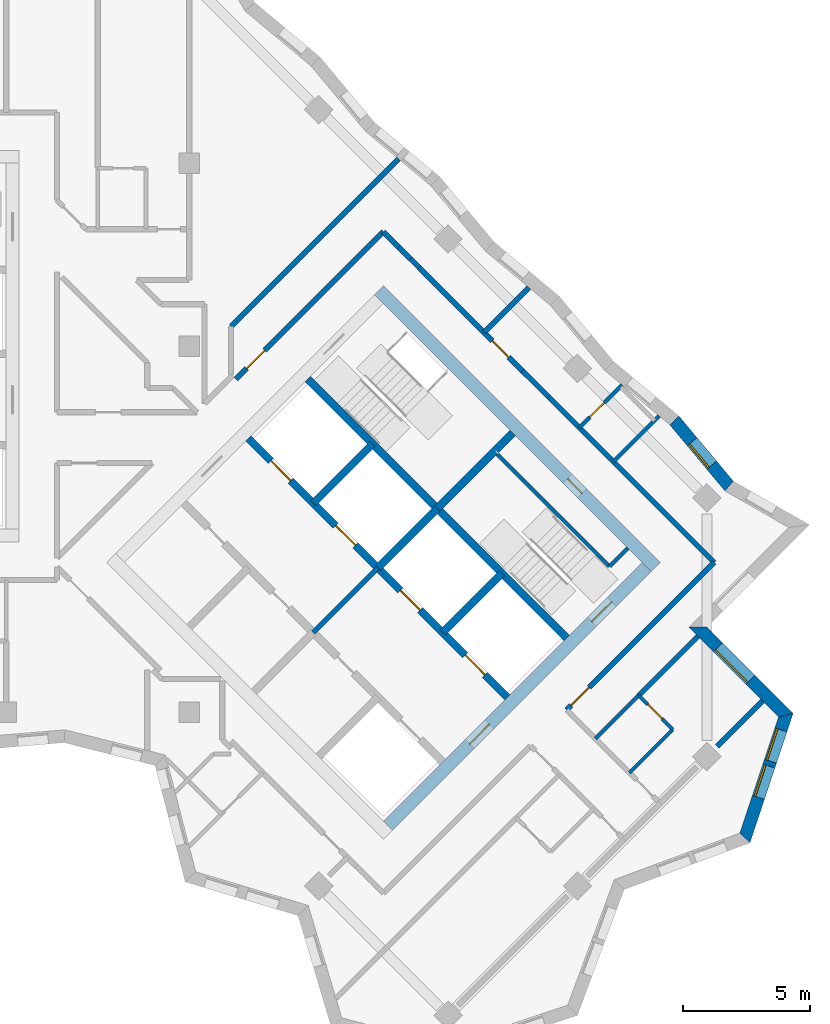
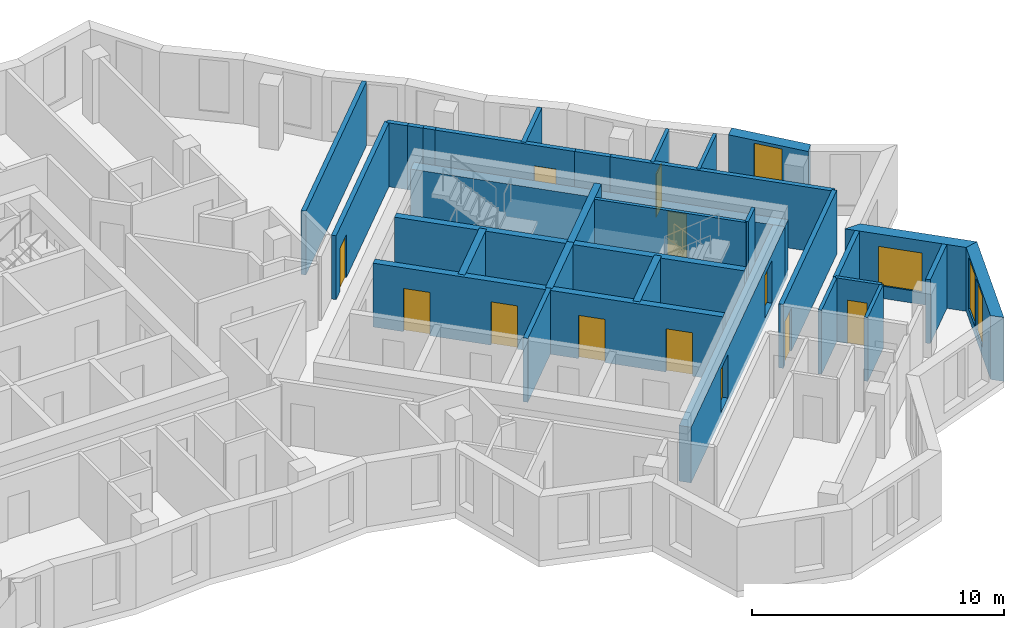
# One storey, part 8 of 11: 32 walls, 12 doors, 4 windows, 16 openings.
"""IFC4 building model written with IfcOpenShell, lengths in metres."""

from ifc_helpers import new_model, si_unit, direction, frame, frame_2d, origin, place, context, subcontext, project, spatial, polyline, rectangle, outline, extrude, material, layer, layer_set, type_object, element, fill, save


model = new_model("IFC4")

# Units and contexts
model_context = context("Model", 3, precision=1e-05, world=origin(), true_north=direction((0.0, 1.0)))
body_context = subcontext(model_context, "Body", "Model", "MODEL_VIEW")
ifc_project = project(units=[si_unit("LENGTHUNIT", "METRE"), si_unit("AREAUNIT", "SQUARE_METRE"), si_unit("VOLUMEUNIT", "CUBIC_METRE"), si_unit("PLANEANGLEUNIT", "RADIAN"), si_unit("MASSUNIT", "GRAM", prefix="KILO")], contexts=[model_context])

# Site, building, storey
site_placement = place(None, origin())
site = spatial("IfcSite", under=ifc_project, at=site_placement, CompositionType="ELEMENT")
building_placement = place(site_placement, origin())
building = spatial("IfcBuilding", under=site, at=building_placement, Name="Windrow Commons", CompositionType="ELEMENT")
storey_placement = place(building_placement, frame((0.0, 0.0, 189.6)))
storey = spatial("IfcBuildingStorey", under=building, at=storey_placement, Name="L51", CompositionType="ELEMENT", Elevation=189.6)

# Wall, openings, windows
ifc_material_1 = material(Name="Brick masonry, red clay brick", Category="masonry")
ifc_layer_1 = layer(ifc_material_1, 0.5)
ifc_layer_set_1 = layer_set([ifc_layer_1], Name="Brick facade wall 500")
wall_type_1 = type_object("IfcWallType", Name="Brick facade wall 500", PredefinedType="SOLIDWALL", material=ifc_layer_set_1)
wall_1_placement = place(storey_placement, frame((101.0624, 38.2515, 0.0), z_axis=(0.0, 0.0, 1.0), x_axis=(0.3162395484, 0.9486793705, 0.0)))
wall_1 = element("IfcWall", 1, at=wall_1_placement, inside=storey, type_object=wall_type_1, Name="Brick facade wall L51 4", PredefinedType="SOLIDWALL", context=body_context, shape_type="SweptSolid", body=[
    extrude(outline(polyline([(-0.1197, -0.25), (5.2468, -0.25), (4.9378, 0.25), (0.1197, 0.25), (-0.1197, -0.25)])), origin(), (0.0, 0.0, 1.0), 3.1),
])
opening_1_placement = place(wall_1_placement, frame((1.6796, 0.0, 0.45)))
opening_1 = element("IfcOpeningElement", 2, at=opening_1_placement, cuts=wall_1, Name="Opening W1Q", PredefinedType="OPENING", context=body_context, shape_type="SweptSolid", body=[
    extrude(rectangle(XDim=1.3, YDim=2.5, at=frame_2d((0.65, 1.25))), frame((0.0, 0.26, 0.0), z_axis=(0.0, -1.0, 0.0), x_axis=(1.0, 0.0, 0.0)), (0.0, 0.0, 1.0), 0.52),
])
opening_2_placement = place(wall_1_placement, frame((3.1796, 0.0, 0.45)))
opening_2 = element("IfcOpeningElement", 3, at=opening_2_placement, cuts=wall_1, Name="Opening W1Q", PredefinedType="OPENING", context=body_context, shape_type="SweptSolid", body=[
    extrude(rectangle(XDim=1.3, YDim=2.5, at=frame_2d((0.65, 1.25))), frame((0.0, 0.26, 0.0), z_axis=(0.0, -1.0, 0.0), x_axis=(1.0, 0.0, 0.0)), (0.0, 0.0, 1.0), 0.52),
])
ifc_material_2 = material(Name="Clear float glass in anodised aluminium frame", Category="aluminium")
window_type_1 = type_object("IfcWindowType", Name="Window W1Q pair 1300x2500", PartitioningType="SINGLE_PANEL", PredefinedType="WINDOW", material=ifc_material_2)
window_1_placement = place(opening_1_placement, origin())
window_1 = element("IfcWindow", 4, at=window_1_placement, inside=storey, type_object=window_type_1, Name="Window L51 4.1A", OverallHeight=2.5, OverallWidth=1.3, PartitioningType="SINGLE_PANEL", PredefinedType="WINDOW", context=body_context, shape_type="SweptSolid", body=[
    extrude(rectangle(XDim=1.3, YDim=2.5, at=frame_2d((0.65, 1.25))), frame((0.0, 0.18, 0.0), z_axis=(0.0, -1.0, 0.0), x_axis=(1.0, 0.0, 0.0)), (0.0, 0.0, 1.0), 0.06),
])
fill(opening_1, window_1)
window_2_placement = place(opening_2_placement, origin())
window_2 = element("IfcWindow", 5, at=window_2_placement, inside=storey, type_object=window_type_1, Name="Window L51 4.1B", OverallHeight=2.5, OverallWidth=1.3, PartitioningType="SINGLE_PANEL", PredefinedType="WINDOW", context=body_context, shape_type="SweptSolid", body=[
    extrude(rectangle(XDim=1.3, YDim=2.5, at=frame_2d((0.65, 1.25))), frame((0.0, 0.18, 0.0), z_axis=(0.0, -1.0, 0.0), x_axis=(1.0, 0.0, 0.0)), (0.0, 0.0, 1.0), 0.06),
])
fill(opening_2, window_2)

# Wall, opening, window
wall_2_placement = place(storey_placement, frame((102.6728, 43.0825, 0.0), z_axis=(0.0, 0.0, 1.0), x_axis=(-0.7071067812, 0.7071067812, 0.0)))
wall_2 = element("IfcWall", 6, at=wall_2_placement, inside=storey, type_object=wall_type_1, Name="Brick facade wall L51 5", PredefinedType="SOLIDWALL", context=body_context, shape_type="SweptSolid", body=[
    extrude(outline(polyline([(-0.1545, -0.25), (4.6455, -0.25), (5.1455, 0.25), (0.1545, 0.25), (-0.1545, -0.25)])), origin(), (0.0, 0.0, 1.0), 3.1),
])
opening_3_placement = place(wall_2_placement, frame((1.9705, 0.0, 0.6)))
opening_3 = element("IfcOpeningElement", 7, at=opening_3_placement, cuts=wall_2, Name="Opening W1L", PredefinedType="OPENING", context=body_context, shape_type="SweptSolid", body=[
    extrude(rectangle(XDim=1.8, YDim=1.9, at=frame_2d((0.9, 0.95))), frame((0.0, 0.26, 0.0), z_axis=(0.0, -1.0, 0.0), x_axis=(1.0, 0.0, 0.0)), (0.0, 0.0, 1.0), 0.52),
])
ifc_material_3 = material(Name="Clear float glass in anodised aluminium frame", Category="aluminium")
window_type_2 = type_object("IfcWindowType", Name="Window W1L bedroom 1800x1900", PartitioningType="SINGLE_PANEL", PredefinedType="WINDOW", material=ifc_material_3)
window_3_placement = place(opening_3_placement, origin())
window_3 = element("IfcWindow", 8, at=window_3_placement, inside=storey, type_object=window_type_2, Name="Window L51 5.1", OverallHeight=1.9, OverallWidth=1.8, PartitioningType="SINGLE_PANEL", PredefinedType="WINDOW", context=body_context, shape_type="SweptSolid", body=[
    extrude(rectangle(XDim=1.8, YDim=1.9, at=frame_2d((0.9, 0.95))), frame((0.0, 0.18, 0.0), z_axis=(0.0, -1.0, 0.0), x_axis=(1.0, 0.0, 0.0)), (0.0, 0.0, 1.0), 0.06),
])
fill(opening_3, window_3)

wall_3_placement = place(storey_placement, frame((100.443, 52.0963, 0.0), z_axis=(0.0, 0.0, 1.0), x_axis=(-0.6407429217, 0.7677555003, 0.0)))
wall_3 = element("IfcWall", 9, at=wall_3_placement, inside=storey, type_object=wall_type_1, Name="Brick facade wall L51 8", PredefinedType="SOLIDWALL", context=body_context, shape_type="SweptSolid", body=[
    extrude(outline(polyline([(0.0447, -0.25), (3.3852, -0.25), (3.3401, 0.25), (-0.0447, 0.25), (0.0447, -0.25)])), origin(), (0.0, 0.0, 1.0), 3.1),
])
opening_4_placement = place(wall_3_placement, frame((1.0701, 0.0, 0.45)))
opening_4 = element("IfcOpeningElement", 10, at=opening_4_placement, cuts=wall_3, Name="Opening W7E", PredefinedType="OPENING", context=body_context, shape_type="SweptSolid", body=[
    extrude(rectangle(XDim=1.2, YDim=2.5, at=frame_2d((0.6, 1.25))), frame((0.0, 0.26, 0.0), z_axis=(0.0, -1.0, 0.0), x_axis=(1.0, 0.0, 0.0)), (0.0, 0.0, 1.0), 0.52),
])
ifc_material_4 = material(Name="Clear float glass in anodised aluminium frame", Category="aluminium")
window_type_3 = type_object("IfcWindowType", Name="Window W7 notch 1200x2500", PartitioningType="SINGLE_PANEL", PredefinedType="WINDOW", material=ifc_material_4)
window_4_placement = place(opening_4_placement, origin())
window_4 = element("IfcWindow", 11, at=window_4_placement, inside=storey, type_object=window_type_3, Name="Window L51 8.1", OverallHeight=2.5, OverallWidth=1.2, PartitioningType="SINGLE_PANEL", PredefinedType="WINDOW", context=body_context, shape_type="SweptSolid", body=[
    extrude(rectangle(XDim=1.2, YDim=2.5, at=frame_2d((0.6, 1.25))), frame((0.0, 0.18, 0.0), z_axis=(0.0, -1.0, 0.0), x_axis=(1.0, 0.0, 0.0)), (0.0, 0.0, 1.0), 0.06),
])
fill(opening_4, window_4)

# Walls
ifc_material_5 = material(Name="Blockwork partition", Category="masonry")
ifc_layer_2 = layer(ifc_material_5, 0.2)
ifc_layer_set_2 = layer_set([ifc_layer_2], Name="Fire lobby partition 200")
wall_type_2 = type_object("IfcWallType", Name="Fire lobby partition 200", PredefinedType="PARTITIONING", material=ifc_layer_set_2)
wall_4_placement = place(storey_placement, frame((84.079, 46.332, 0.0), z_axis=(0.0, 0.0, 1.0), x_axis=(0.7071067812, 0.7071067812, 0.0)))
element("IfcWall", 12, at=wall_4_placement, inside=storey, type_object=wall_type_2, Name="W-core-lobby-B-L51", PredefinedType="PARTITIONING", context=body_context, shape_type="SweptSolid", body=[
    extrude(rectangle(XDim=3.6, YDim=0.2, at=frame_2d((1.8, 0.0))), origin(), (0.0, 0.0, 1.0), 3.1),
])
ifc_material_6 = material(Name="Blockwork partition", Category="masonry")
ifc_layer_3 = layer(ifc_material_6, 0.2)
ifc_layer_set_3 = layer_set([ifc_layer_3], Name="IW-CORRIDOR-200")
wall_type_3 = type_object("IfcWallType", Name="IW-CORRIDOR-200", PredefinedType="PARTITIONING", material=ifc_layer_set_3)
wall_5_placement = place(storey_placement, frame((93.3455, 55.5995, 0.0), z_axis=(0.0, 0.0, 1.0), x_axis=(0.7071067812, -0.7071067812, 0.0)))
element("IfcWall", 13, at=wall_5_placement, inside=storey, type_object=wall_type_3, Name="W-L51-W007", PredefinedType="PARTITIONING", context=body_context, shape_type="SweptSolid", body=[
    extrude(rectangle(XDim=9.2009, YDim=0.2, at=frame_2d((4.6005, 0.0))), origin(), (0.0, 0.0, 1.0), 3.1),
])

# Wall, opening, door
wall_6_placement = place(storey_placement, frame((94.0491, 43.2929, 0.0), z_axis=(0.0, 0.0, 1.0), x_axis=(0.7071067812, 0.7071067812, 0.0)))
wall_6 = element("IfcWall", 14, at=wall_6_placement, inside=storey, type_object=wall_type_3, Name="W-L51-W008", PredefinedType="PARTITIONING", context=body_context, shape_type="SweptSolid", body=[
    extrude(rectangle(XDim=8.1996, YDim=0.2, at=frame_2d((4.0998, 0.0))), origin(), (0.0, 0.0, 1.0), 3.1),
])
opening_5_placement = place(wall_6_placement, frame((0.2523, 0.0, 0.0)))
opening_5 = element("IfcOpeningElement", 15, at=opening_5_placement, cuts=wall_6, Name="Opening D310F", PredefinedType="OPENING", context=body_context, shape_type="SweptSolid", body=[
    extrude(rectangle(XDim=1.0, YDim=2.1, at=frame_2d((0.5, 1.05))), frame((0.0, 0.11, 0.0), z_axis=(0.0, -1.0, 0.0), x_axis=(1.0, 0.0, 0.0)), (0.0, 0.0, 1.0), 0.22),
])
ifc_material_7 = material(Name="Timber door leaf", Category="wood")
door_type_1 = type_object("IfcDoorType", Name="DT-AMENITY-1000", OperationType="SINGLE_SWING_LEFT", PredefinedType="DOOR", material=ifc_material_7)
door_1_placement = place(opening_5_placement, origin())
door_1 = element("IfcDoor", 16, at=door_1_placement, inside=storey, type_object=door_type_1, Name="D-L51-D033", OperationType="SINGLE_SWING_RIGHT", OverallHeight=2.1, OverallWidth=1.0, PredefinedType="DOOR", context=body_context, shape_type="SweptSolid", body=[
    extrude(rectangle(XDim=1.0, YDim=2.1, at=frame_2d((0.5, 1.05))), frame((0.0, 0.025, 0.0), z_axis=(0.0, -1.0, 0.0), x_axis=(1.0, 0.0, 0.0)), (0.0, 0.0, 1.0), 0.05),
])
fill(opening_5, door_1)

wall_7_placement = place(storey_placement, frame((81.0373, 56.3027, 0.0), z_axis=(0.0, 0.0, 1.0), x_axis=(0.7071067812, 0.7071067812, 0.0)))
wall_7 = element("IfcWall", 17, at=wall_7_placement, inside=storey, type_object=wall_type_3, Name="W-L51-W010", PredefinedType="PARTITIONING", context=body_context, shape_type="SweptSolid", body=[
    extrude(rectangle(XDim=8.1996, YDim=0.2, at=frame_2d((4.0998, 0.0))), origin(), (0.0, 0.0, 1.0), 3.1),
])
opening_6_placement = place(wall_7_placement, frame((0.5924, 0.0, 0.0)))
opening_6 = element("IfcOpeningElement", 18, at=opening_6_placement, cuts=wall_7, Name="Opening D310F", PredefinedType="OPENING", context=body_context, shape_type="SweptSolid", body=[
    extrude(rectangle(XDim=1.0, YDim=2.1, at=frame_2d((0.5, 1.05))), frame((0.0, 0.11, 0.0), z_axis=(0.0, -1.0, 0.0), x_axis=(1.0, 0.0, 0.0)), (0.0, 0.0, 1.0), 0.22),
])
door_2_placement = place(opening_6_placement, origin())
door_2 = element("IfcDoor", 19, at=door_2_placement, inside=storey, type_object=door_type_1, Name="D-L51-D032", OperationType="SINGLE_SWING_RIGHT", OverallHeight=2.1, OverallWidth=1.0, PredefinedType="DOOR", context=body_context, shape_type="SweptSolid", body=[
    extrude(rectangle(XDim=1.0, YDim=2.1, at=frame_2d((0.5, 1.05))), frame((0.0, 0.025, 0.0), z_axis=(0.0, -1.0, 0.0), x_axis=(1.0, 0.0, 0.0)), (0.0, 0.0, 1.0), 0.05),
])
fill(opening_6, door_2)

wall_8_placement = place(storey_placement, frame((88.2474, 60.6834, 0.0), z_axis=(0.0, 0.0, 1.0), x_axis=(0.7071067812, -0.7071067812, 0.0)))
wall_8 = element("IfcWall", 20, at=wall_8_placement, inside=storey, type_object=wall_type_3, Name="W-L51-W029", PredefinedType="PARTITIONING", context=body_context, shape_type="SweptSolid", body=[
    extrude(rectangle(XDim=5.7417, YDim=0.2, at=frame_2d((2.8708, 0.0))), origin(), (0.0, 0.0, 1.0), 3.1),
])
opening_7_placement = place(wall_8_placement, frame((4.0693, 0.0, 0.0)))
opening_7 = element("IfcOpeningElement", 21, at=opening_7_placement, cuts=wall_8, Name="Opening D109S", PredefinedType="OPENING", context=body_context, shape_type="SweptSolid", body=[
    extrude(rectangle(XDim=0.9, YDim=2.1, at=frame_2d((0.45, 1.05))), frame((0.0, 0.11, 0.0), z_axis=(0.0, -1.0, 0.0), x_axis=(1.0, 0.0, 0.0)), (0.0, 0.0, 1.0), 0.22),
])
ifc_material_8 = material(Name="Timber door leaf", Category="wood")
door_type_2 = type_object("IfcDoorType", Name="DT-BEDROOM-900", OperationType="SINGLE_SWING_LEFT", PredefinedType="DOOR", material=ifc_material_8)
door_3_placement = place(opening_7_placement, origin())
door_3 = element("IfcDoor", 22, at=door_3_placement, inside=storey, type_object=door_type_2, Name="D-L51-D034", OperationType="SINGLE_SWING_RIGHT", OverallHeight=2.1, OverallWidth=0.9, PredefinedType="DOOR", context=body_context, shape_type="SweptSolid", body=[
    extrude(rectangle(XDim=0.9, YDim=2.1, at=frame_2d((0.45, 1.05))), frame((0.0, 0.025, 0.0), z_axis=(0.0, -1.0, 0.0), x_axis=(1.0, 0.0, 0.0)), (0.0, 0.0, 1.0), 0.05),
])
fill(opening_7, door_3)

# Walls
wall_9_placement = place(storey_placement, frame((92.3106, 56.6266, 0.0), z_axis=(0.0, 0.0, 1.0), x_axis=(0.7077922938, -0.7064206033, 0.0)))
element("IfcWall", 23, at=wall_9_placement, inside=storey, type_object=wall_type_3, Name="W-L51-W118", PredefinedType="PARTITIONING", context=body_context, shape_type="SweptSolid", body=[
    extrude(rectangle(XDim=1.4581, YDim=0.2, at=frame_2d((0.729, 0.0))), origin(), (0.0, 0.0, 1.0), 3.1),
])
wall_10_placement = place(storey_placement, frame((86.8353, 62.0973, 0.0), z_axis=(0.0, 0.0, 1.0), x_axis=(0.7059370453, -0.7082745852, 0.0)))
element("IfcWall", 24, at=wall_10_placement, inside=storey, type_object=wall_type_3, Name="W-L51-W126", PredefinedType="PARTITIONING", context=body_context, shape_type="SweptSolid", body=[
    extrude(rectangle(XDim=0.8556, YDim=0.2, at=frame_2d((0.4278, 0.0))), origin(), (0.0, 0.0, 1.0), 3.1),
])
wall_11_placement = place(storey_placement, frame((87.4398, 61.4918, 0.0), z_axis=(0.0, 0.0, 1.0), x_axis=(0.7086591505, -0.7055509963, 0.0)))
element("IfcWall", 25, at=wall_11_placement, inside=storey, type_object=wall_type_3, Name="W-L51-W128", PredefinedType="PARTITIONING", context=body_context, shape_type="SweptSolid", body=[
    extrude(rectangle(XDim=0.6435, YDim=0.2, at=frame_2d((0.3217, 0.0))), origin(), (0.0, 0.0, 1.0), 3.1),
])
wall_12_placement = place(storey_placement, frame((87.8991, 61.0411, 0.0), z_axis=(0.0, 0.0, 1.0), x_axis=(0.7051008166, -0.7091070712, 0.0)))
element("IfcWall", 26, at=wall_12_placement, inside=storey, type_object=wall_type_3, Name="W-L51-W134", PredefinedType="PARTITIONING", context=body_context, shape_type="SweptSolid", body=[
    extrude(rectangle(XDim=0.4992, YDim=0.2, at=frame_2d((0.2496, 0.0))), origin(), (0.0, 0.0, 1.0), 3.1),
])
ifc_material_9 = material(Name="Blockwork partition", Category="masonry")
ifc_layer_4 = layer(ifc_material_9, 0.15)
ifc_layer_set_4 = layer_set([ifc_layer_4], Name="IW-ENSUITE-150")
wall_type_4 = type_object("IfcWallType", Name="IW-ENSUITE-150", PredefinedType="PARTITIONING", material=ifc_layer_set_4)
wall_13_placement = place(storey_placement, frame((95.8873, 53.0507, 0.0), z_axis=(0.0, 0.0, 1.0), x_axis=(0.7071067812, 0.7071067812, 0.0)))
element("IfcWall", 27, at=wall_13_placement, inside=storey, type_object=wall_type_4, Name="W-L51-W059", PredefinedType="PARTITIONING", context=body_context, shape_type="SweptSolid", body=[
    extrude(rectangle(XDim=2.5481, YDim=0.15, at=frame_2d((1.274, 0.0))), origin(), (0.0, 0.0, 1.0), 3.1),
])
for number, where, z_axis, x_axis, name in (
    (28, (96.5229, 40.8171, 0.0), (0.0, 0.0, 1.0), (0.7071067812, 0.7071067812, 0.0), "W-L51-W062"),
    (29, (95.1794, 42.1606, 0.0), (0.0, 0.0, 1.0), (0.7071067812, 0.7071067812, 0.0), "W-L51-W063"),
):
    element("IfcWall", number, at=place(storey_placement, frame(where, z_axis=z_axis, x_axis=x_axis)), inside=storey, type_object=wall_type_4, Name=name, PredefinedType="PARTITIONING", context=body_context, shape_type="SweptSolid", body=[
        extrude(rectangle(XDim=2.4013, YDim=0.15, at=frame_2d((1.2006, 0.0))), origin(), (0.0, 0.0, 1.0), 3.1),
    ])

# Wall, opening, door
wall_14_placement = place(storey_placement, frame((94.5438, 54.3942, 0.0), z_axis=(0.0, 0.0, 1.0), x_axis=(0.7070857442, 0.7071278176, 0.0)))
wall_14 = element("IfcWall", 30, at=wall_14_placement, inside=storey, type_object=wall_type_4, Name="W-L51-W083", PredefinedType="PARTITIONING", context=body_context, shape_type="SweptSolid", body=[
    extrude(rectangle(XDim=2.3768, YDim=0.15, at=frame_2d((1.1884, 0.0))), origin(), (0.0, 0.0, 1.0), 3.1),
])
opening_8_placement = place(wall_14_placement, frame((0.5941, 0.0, 0.0)))
opening_8 = element("IfcOpeningElement", 31, at=opening_8_placement, cuts=wall_14, Name="Opening D208N", PredefinedType="OPENING", context=body_context, shape_type="SweptSolid", body=[
    extrude(rectangle(XDim=0.8, YDim=2.1, at=frame_2d((0.4, 1.05))), frame((0.0, 0.085, 0.0), z_axis=(0.0, -1.0, 0.0), x_axis=(1.0, 0.0, 0.0)), (0.0, 0.0, 1.0), 0.17),
])
ifc_material_10 = material(Name="Timber door leaf", Category="wood")
door_type_3 = type_object("IfcDoorType", Name="DT-ENSUITE-800", OperationType="SINGLE_SWING_LEFT", PredefinedType="DOOR", material=ifc_material_10)
door_4_placement = place(opening_8_placement, origin())
door_4 = element("IfcDoor", 32, at=door_4_placement, inside=storey, type_object=door_type_3, Name="D-L51-D035", OperationType="SINGLE_SWING_RIGHT", OverallHeight=2.1, OverallWidth=0.8, PredefinedType="DOOR", context=body_context, shape_type="SweptSolid", body=[
    extrude(rectangle(XDim=0.8, YDim=2.1, at=frame_2d((0.4, 1.05))), frame((0.0, 0.025, 0.0), z_axis=(0.0, -1.0, 0.0), x_axis=(1.0, 0.0, 0.0)), (0.0, 0.0, 1.0), 0.05),
])
fill(opening_8, door_4)

wall_15_placement = place(storey_placement, frame((96.8813, 43.8613, 0.0), z_axis=(0.0, 0.0, 1.0), x_axis=(0.7071067812, -0.7071067812, 0.0)))
wall_15 = element("IfcWall", 33, at=wall_15_placement, inside=storey, type_object=wall_type_4, Name="W-L51-W102", PredefinedType="PARTITIONING", context=body_context, shape_type="SweptSolid", body=[
    extrude(rectangle(XDim=1.9007, YDim=0.15, at=frame_2d((0.9504, 0.0))), origin(), (0.0, 0.0, 1.0), 3.1),
])
opening_9_placement = place(wall_15_placement, frame((0.5053, 0.0, 0.0)))
opening_9 = element("IfcOpeningElement", 34, at=opening_9_placement, cuts=wall_15, Name="Opening D208N", PredefinedType="OPENING", context=body_context, shape_type="SweptSolid", body=[
    extrude(rectangle(XDim=0.8, YDim=2.1, at=frame_2d((0.4, 1.05))), frame((0.0, 0.085, 0.0), z_axis=(0.0, -1.0, 0.0), x_axis=(1.0, 0.0, 0.0)), (0.0, 0.0, 1.0), 0.17),
])
door_5_placement = place(opening_9_placement, origin())
door_5 = element("IfcDoor", 35, at=door_5_placement, inside=storey, type_object=door_type_3, Name="D-L51-D042", OperationType="SINGLE_SWING_RIGHT", OverallHeight=2.1, OverallWidth=0.8, PredefinedType="DOOR", context=body_context, shape_type="SweptSolid", body=[
    extrude(rectangle(XDim=0.8, YDim=2.1, at=frame_2d((0.4, 1.05))), frame((0.0, 0.025, 0.0), z_axis=(0.0, -1.0, 0.0), x_axis=(1.0, 0.0, 0.0)), (0.0, 0.0, 1.0), 0.05),
])
fill(opening_9, door_5)

# Walls
ifc_material_11 = material(Name="Blockwork partition", Category="masonry")
ifc_layer_5 = layer(ifc_material_11, 0.2)
ifc_layer_set_5 = layer_set([ifc_layer_5], Name="IW-PARTY-200")
wall_type_5 = type_object("IfcWallType", Name="IW-PARTY-200", PredefinedType="PARTITIONING", material=ifc_layer_set_5)
wall_16_placement = place(storey_placement, frame((80.8489, 58.3771, 0.0), z_axis=(0.0, 0.0, 1.0), x_axis=(0.7071121477, 0.7071014147, 0.0)))
element("IfcWall", 36, at=wall_16_placement, inside=storey, type_object=wall_type_5, Name="W-L51-W006", PredefinedType="PARTITIONING", context=body_context, shape_type="SweptSolid", body=[
    extrude(rectangle(XDim=9.3171, YDim=0.2, at=frame_2d((4.6585, 0.0))), origin(), (0.0, 0.0, 1.0), 3.1),
])
wall_17_placement = place(storey_placement, frame((96.8801, 43.8559, 0.0), z_axis=(0.0, 0.0, 1.0), x_axis=(0.7074098182, 0.7068036142, 0.0)))
element("IfcWall", 37, at=wall_17_placement, inside=storey, type_object=wall_type_5, Name="W-L51-W053", PredefinedType="PARTITIONING", context=body_context, shape_type="SweptSolid", body=[
    extrude(rectangle(XDim=3.2992, YDim=0.2, at=frame_2d((1.6496, 0.0))), origin(), (0.0, 0.0, 1.0), 3.1),
])
wall_18_placement = place(storey_placement, frame((99.964, 41.854, 0.0), z_axis=(0.0, 0.0, 1.0), x_axis=(0.7071265121, 0.7070870497, 0.0)))
element("IfcWall", 38, at=wall_18_placement, inside=storey, type_object=wall_type_5, Name="W-L51-W060", PredefinedType="PARTITIONING", context=body_context, shape_type="SweptSolid", body=[
    extrude(rectangle(XDim=2.5341, YDim=0.2, at=frame_2d((1.2671, 0.0))), origin(), (0.0, 0.0, 1.0), 3.1),
])
wall_19_placement = place(storey_placement, frame((90.7972, 58.1388, 0.0), z_axis=(0.0, 0.0, 1.0), x_axis=(0.7066467053, 0.7075665579, 0.0)))
element("IfcWall", 39, at=wall_19_placement, inside=storey, type_object=wall_type_5, Name="W-L51-W061", PredefinedType="PARTITIONING", context=body_context, shape_type="SweptSolid", body=[
    extrude(rectangle(XDim=2.5004, YDim=0.2, at=frame_2d((1.2502, 0.0))), origin(), (0.0, 0.0, 1.0), 3.1),
])

# Wall, opening, door
ifc_material_12 = material(Name="Concrete C40/50", Category="concrete")
ifc_layer_6 = layer(ifc_material_12, 0.5)
ifc_layer_set_6 = layer_set([ifc_layer_6], Name="RC CORE WALL 500 C40/50")
wall_type_6 = type_object("IfcWallType", Name="RC CORE WALL 500 C40/50", PredefinedType="SHEAR", material=ifc_layer_set_6)
wall_20_placement = place(storey_placement, frame((86.66, 59.8024, -0.3), z_axis=(0.0, 0.0, 1.0), x_axis=(0.7071067812, -0.7071067812, 0.0)))
wall_20 = element("IfcWall", 40, at=wall_20_placement, inside=storey, type_object=wall_type_6, Name="Core B wall outer-N", PredefinedType="SHEAR", context=body_context, shape_type="SweptSolid", body=[
    extrude(rectangle(XDim=15.3999, YDim=0.5, at=frame_2d((7.7, 0.0))), origin(), (0.0, 0.0, 1.0), 2.7),
])
opening_10_placement = place(wall_20_placement, frame((10.5, 0.0, 0.3)))
opening_10 = element("IfcOpeningElement", 41, at=opening_10_placement, cuts=wall_20, Name="Opening D9", PredefinedType="OPENING", context=body_context, shape_type="SweptSolid", body=[
    extrude(rectangle(XDim=0.8, YDim=2.1, at=frame_2d((0.4, 1.05))), frame((0.0, 0.26, 0.0), z_axis=(0.0, -1.0, 0.0), x_axis=(1.0, 0.0, 0.0)), (0.0, 0.0, 1.0), 0.52),
])
ifc_material_13 = material(Name="Steel fire door leaf", Category="steel")
door_type_4 = type_object("IfcDoorType", Name="Riser access door 800", OperationType="SINGLE_SWING_LEFT", PredefinedType="DOOR", material=ifc_material_13)
door_6_placement = place(opening_10_placement, origin())
door_6 = element("IfcDoor", 42, at=door_6_placement, inside=storey, type_object=door_type_4, Name="Riser access door", OperationType="SINGLE_SWING_RIGHT", OverallHeight=2.1, OverallWidth=0.8, PredefinedType="DOOR", context=body_context, shape_type="SweptSolid", body=[
    extrude(rectangle(XDim=0.8, YDim=2.1, at=frame_2d((0.4, 1.05))), frame((0.0, 0.025, 0.0), z_axis=(0.0, -1.0, 0.0), x_axis=(1.0, 0.0, 0.0)), (0.0, 0.0, 1.0), 0.05),
])
fill(opening_10, door_6)

# Wall, openings, doors
wall_21_placement = place(storey_placement, frame((87.0135, 38.7306, -0.3), z_axis=(0.0, 0.0, 1.0), x_axis=(0.7071067812, 0.7071067812, 0.0)))
wall_21 = element("IfcWall", 43, at=wall_21_placement, inside=storey, type_object=wall_type_6, Name="Core B wall outer-E", PredefinedType="SHEAR", context=body_context, shape_type="SweptSolid", body=[
    extrude(rectangle(XDim=14.4001, YDim=0.5, at=frame_2d((7.2001, 0.0))), origin(), (0.0, 0.0, 1.0), 2.7),
])
opening_11_placement = place(wall_21_placement, frame((4.55, 0.0, 0.3)))
opening_11 = element("IfcOpeningElement", 44, at=opening_11_placement, cuts=wall_21, Name="Opening D6", PredefinedType="OPENING", context=body_context, shape_type="SweptSolid", body=[
    extrude(rectangle(XDim=1.1, YDim=2.1, at=frame_2d((0.55, 1.05))), frame((0.0, 0.26, 0.0), z_axis=(0.0, -1.0, 0.0), x_axis=(1.0, 0.0, 0.0)), (0.0, 0.0, 1.0), 0.52),
])
opening_12_placement = place(wall_21_placement, frame((11.35, 0.0, 0.3)))
opening_12 = element("IfcOpeningElement", 45, at=opening_12_placement, cuts=wall_21, Name="Opening D7", PredefinedType="OPENING", context=body_context, shape_type="SweptSolid", body=[
    extrude(rectangle(XDim=1.1, YDim=2.1, at=frame_2d((0.55, 1.05))), frame((0.0, 0.26, 0.0), z_axis=(0.0, -1.0, 0.0), x_axis=(1.0, 0.0, 0.0)), (0.0, 0.0, 1.0), 0.52),
])
ifc_material_14 = material(Name="Steel fire door leaf", Category="steel")
door_type_5 = type_object("IfcDoorType", Name="Core lobby door 1100", OperationType="SINGLE_SWING_LEFT", PredefinedType="DOOR", material=ifc_material_14)
door_7_placement = place(opening_11_placement, origin())
door_7 = element("IfcDoor", 46, at=door_7_placement, inside=storey, type_object=door_type_5, Name="Lift lobby door", OperationType="DOUBLE_DOOR_SINGLE_SWING", OverallHeight=2.1, OverallWidth=1.1, PredefinedType="DOOR", context=body_context, shape_type="SweptSolid", body=[
    extrude(rectangle(XDim=1.1, YDim=2.1, at=frame_2d((0.55, 1.05))), frame((0.0, 0.025, 0.0), z_axis=(0.0, -1.0, 0.0), x_axis=(1.0, 0.0, 0.0)), (0.0, 0.0, 1.0), 0.05),
])
fill(opening_11, door_7)
ifc_material_15 = material(Name="Steel fire door leaf", Category="steel")
door_type_6 = type_object("IfcDoorType", Name="Stair door 1100", OperationType="SINGLE_SWING_LEFT", PredefinedType="DOOR", material=ifc_material_15)
door_8_placement = place(opening_12_placement, origin())
door_8 = element("IfcDoor", 47, at=door_8_placement, inside=storey, type_object=door_type_6, Name="Stair door", OperationType="SINGLE_SWING_RIGHT", OverallHeight=2.1, OverallWidth=1.1, PredefinedType="DOOR", context=body_context, shape_type="SweptSolid", body=[
    extrude(rectangle(XDim=1.1, YDim=2.1, at=frame_2d((0.55, 1.05))), frame((0.0, 0.025, 0.0), z_axis=(0.0, -1.0, 0.0), x_axis=(1.0, 0.0, 0.0)), (0.0, 0.0, 1.0), 0.05),
])
fill(opening_12, door_8)

# Walls
ifc_material_16 = material(Name="Concrete C40/50", Category="concrete")
ifc_layer_7 = layer(ifc_material_16, 0.3)
ifc_layer_set_7 = layer_set([ifc_layer_7], Name="RC SHAFT WALL 300 C40/50")
wall_type_7 = type_object("IfcWallType", Name="RC SHAFT WALL 300 C40/50", PredefinedType="SOLIDWALL", material=ifc_layer_set_7)
wall_22_placement = place(storey_placement, frame((84.079, 51.4232, 0.0), z_axis=(0.0, 0.0, 1.0), x_axis=(0.7071219326, 0.7070916295, 0.0)))
element("IfcWall", 48, at=wall_22_placement, inside=storey, type_object=wall_type_7, Name="Core B wall shaft-N1", PredefinedType="SOLIDWALL", context=body_context, shape_type="SweptSolid", body=[
    extrude(rectangle(XDim=3.3, YDim=0.3, at=frame_2d((1.65, 0.0))), origin(), (0.0, 0.0, 1.0), 3.1),
])
for number, where, z_axis, x_axis, name in (
    (49, (86.6246, 48.8776, 0.0), (0.0, 0.0, 1.0), (0.7071067812, 0.7071067812, 0.0), "Core B wall shaft-N2"),
    (50, (89.1702, 46.332, 0.0), (0.0, 0.0, 1.0), (0.7071067812, 0.7071067812, 0.0), "Core B wall shaft-N3"),
):
    element("IfcWall", number, at=place(storey_placement, frame(where, z_axis=z_axis, x_axis=x_axis)), inside=storey, type_object=wall_type_7, Name=name, PredefinedType="SOLIDWALL", context=body_context, shape_type="SweptSolid", body=[
        extrude(rectangle(XDim=3.3001, YDim=0.3, at=frame_2d((1.6501, 0.0))), origin(), (0.0, 0.0, 1.0), 3.1),
    ])

# Wall, openings, doors
wall_23_placement = place(storey_placement, frame((81.5335, 53.9688, 0.0), z_axis=(0.0, 0.0, 1.0), x_axis=(0.707103309, -0.7071102534, 0.0)))
wall_23 = element("IfcWall", 51, at=wall_23_placement, inside=storey, type_object=wall_type_7, Name="Core B wall lobby-N", PredefinedType="SOLIDWALL", context=body_context, shape_type="SweptSolid", body=[
    extrude(rectangle(XDim=14.4, YDim=0.3, at=frame_2d((7.2, 0.0))), origin(), (0.0, 0.0, 1.0), 3.1),
])
opening_13_placement = place(wall_23_placement, frame((1.25, 0.0, 0.0)))
opening_13 = element("IfcOpeningElement", 52, at=opening_13_placement, cuts=wall_23, Name="Opening LD", PredefinedType="OPENING", context=body_context, shape_type="SweptSolid", body=[
    extrude(rectangle(XDim=1.1, YDim=2.1, at=frame_2d((0.55, 1.05))), frame((0.0, 0.16, 0.0), z_axis=(0.0, -1.0, 0.0), x_axis=(1.0, 0.0, 0.0)), (0.0, 0.0, 1.0), 0.32),
])
opening_14_placement = place(wall_23_placement, frame((4.85, 0.0, 0.0)))
opening_14 = element("IfcOpeningElement", 53, at=opening_14_placement, cuts=wall_23, Name="Opening LD", PredefinedType="OPENING", context=body_context, shape_type="SweptSolid", body=[
    extrude(rectangle(XDim=1.1, YDim=2.1, at=frame_2d((0.55, 1.05))), frame((0.0, 0.16, 0.0), z_axis=(0.0, -1.0, 0.0), x_axis=(1.0, 0.0, 0.0)), (0.0, 0.0, 1.0), 0.32),
])
opening_15_placement = place(wall_23_placement, frame((8.45, 0.0, 0.0)))
opening_15 = element("IfcOpeningElement", 54, at=opening_15_placement, cuts=wall_23, Name="Opening LD", PredefinedType="OPENING", context=body_context, shape_type="SweptSolid", body=[
    extrude(rectangle(XDim=1.1, YDim=2.1, at=frame_2d((0.55, 1.05))), frame((0.0, 0.16, 0.0), z_axis=(0.0, -1.0, 0.0), x_axis=(1.0, 0.0, 0.0)), (0.0, 0.0, 1.0), 0.32),
])
opening_16_placement = place(wall_23_placement, frame((12.05, 0.0, 0.0)))
opening_16 = element("IfcOpeningElement", 55, at=opening_16_placement, cuts=wall_23, Name="Opening LD", PredefinedType="OPENING", context=body_context, shape_type="SweptSolid", body=[
    extrude(rectangle(XDim=1.1, YDim=2.1, at=frame_2d((0.55, 1.05))), frame((0.0, 0.16, 0.0), z_axis=(0.0, -1.0, 0.0), x_axis=(1.0, 0.0, 0.0)), (0.0, 0.0, 1.0), 0.32),
])
ifc_material_17 = material(Name="Stainless steel door leaf", Category="steel")
door_type_7 = type_object("IfcDoorType", Name="Lift landing door 1100", OperationType="SLIDING_TO_LEFT", PredefinedType="DOOR", material=ifc_material_17)
door_9_placement = place(opening_13_placement, origin())
door_9 = element("IfcDoor", 56, at=door_9_placement, inside=storey, type_object=door_type_7, Name="Lift landing door", OperationType="SLIDING_TO_LEFT", OverallHeight=2.1, OverallWidth=1.1, PredefinedType="DOOR", context=body_context, shape_type="SweptSolid", body=[
    extrude(rectangle(XDim=1.1, YDim=2.1, at=frame_2d((0.55, 1.05))), frame((0.0, 0.025, 0.0), z_axis=(0.0, -1.0, 0.0), x_axis=(1.0, 0.0, 0.0)), (0.0, 0.0, 1.0), 0.05),
])
fill(opening_13, door_9)
door_10_placement = place(opening_14_placement, origin())
door_10 = element("IfcDoor", 57, at=door_10_placement, inside=storey, type_object=door_type_7, Name="Lift landing door", OperationType="SLIDING_TO_RIGHT", OverallHeight=2.1, OverallWidth=1.1, PredefinedType="DOOR", context=body_context, shape_type="SweptSolid", body=[
    extrude(rectangle(XDim=1.1, YDim=2.1, at=frame_2d((0.55, 1.05))), frame((0.0, 0.025, 0.0), z_axis=(0.0, -1.0, 0.0), x_axis=(1.0, 0.0, 0.0)), (0.0, 0.0, 1.0), 0.05),
])
fill(opening_14, door_10)
door_11_placement = place(opening_15_placement, origin())
door_11 = element("IfcDoor", 58, at=door_11_placement, inside=storey, type_object=door_type_7, Name="Lift landing door", OperationType="SLIDING_TO_LEFT", OverallHeight=2.1, OverallWidth=1.1, PredefinedType="DOOR", context=body_context, shape_type="SweptSolid", body=[
    extrude(rectangle(XDim=1.1, YDim=2.1, at=frame_2d((0.55, 1.05))), frame((0.0, 0.025, 0.0), z_axis=(0.0, -1.0, 0.0), x_axis=(1.0, 0.0, 0.0)), (0.0, 0.0, 1.0), 0.05),
])
fill(opening_15, door_11)
door_12_placement = place(opening_16_placement, origin())
door_12 = element("IfcDoor", 59, at=door_12_placement, inside=storey, type_object=door_type_7, Name="Lift landing door", OperationType="SLIDING_TO_RIGHT", OverallHeight=2.1, OverallWidth=1.1, PredefinedType="DOOR", context=body_context, shape_type="SweptSolid", body=[
    extrude(rectangle(XDim=1.1, YDim=2.1, at=frame_2d((0.55, 1.05))), frame((0.0, 0.025, 0.0), z_axis=(0.0, -1.0, 0.0), x_axis=(1.0, 0.0, 0.0)), (0.0, 0.0, 1.0), 0.05),
])
fill(opening_16, door_12)

# Walls
for number, where, z_axis, x_axis, name in (
    (60, (83.8669, 56.3022, 0.0), (0.0, 0.0, 1.0), (0.7071137256, -0.7070998367, 0.0), "Core B wall stair-S"),
    (61, (88.9581, 51.2111, 0.0), (0.0, 0.0, 1.0), (0.7070998367, -0.7071137256, 0.0), "Core B wall stair-S2"),
):
    element("IfcWall", number, at=place(storey_placement, frame(where, z_axis=z_axis, x_axis=x_axis)), inside=storey, type_object=wall_type_7, Name=name, PredefinedType="SOLIDWALL", context=body_context, shape_type="SweptSolid", body=[
        extrude(rectangle(XDim=7.2, YDim=0.3, at=frame_2d((3.6, 0.0))), origin(), (0.0, 0.0, 1.0), 3.1),
    ])
wall_24_placement = place(storey_placement, frame((88.9581, 51.2111, 0.0), z_axis=(0.0, 0.0, 1.0), x_axis=(0.7071067812, 0.7071067812, 0.0)))
element("IfcWall", 62, at=wall_24_placement, inside=storey, type_object=wall_type_7, Name="Core B wall stair-mid", PredefinedType="SOLIDWALL", context=body_context, shape_type="SweptSolid", body=[
    extrude(rectangle(XDim=4.1999, YDim=0.3, at=frame_2d((2.1, 0.0))), origin(), (0.0, 0.0, 1.0), 3.1),
])
ifc_material_18 = material(Name="Blockwork partition", Category="masonry")
ifc_layer_8 = layer(ifc_material_18, 0.15)
ifc_layer_set_8 = layer_set([ifc_layer_8], Name="Riser partition 150")
wall_type_8 = type_object("IfcWallType", Name="Riser partition 150", PredefinedType="PARTITIONING", material=ifc_layer_set_8)
wall_25_placement = place(storey_placement, frame((91.3127, 53.3536, 0.0), z_axis=(0.0, 0.0, 1.0), x_axis=(0.7071147811, -0.7070987812, 0.0)))
element("IfcWall", 63, at=wall_25_placement, inside=storey, type_object=wall_type_8, Name="W-core-strip-B-L51", PredefinedType="PARTITIONING", context=body_context, shape_type="SweptSolid", body=[
    extrude(rectangle(XDim=6.25, YDim=0.15, at=frame_2d((3.125, 0.0))), origin(), (0.0, 0.0, 1.0), 3.1),
])
wall_26_placement = place(storey_placement, frame((95.7322, 48.9342, 0.0), z_axis=(0.0, 0.0, 1.0), x_axis=(0.7071067812, 0.7071067812, 0.0)))
element("IfcWall", 64, at=wall_26_placement, inside=storey, type_object=wall_type_8, Name="W-core-stripx-B-L51-1", PredefinedType="PARTITIONING", context=body_context, shape_type="SweptSolid", body=[
    extrude(rectangle(XDim=1.0199, YDim=0.15, at=frame_2d((0.51, 0.0))), origin(), (0.0, 0.0, 1.0), 3.1),
])

save(model, "model.ifc")
